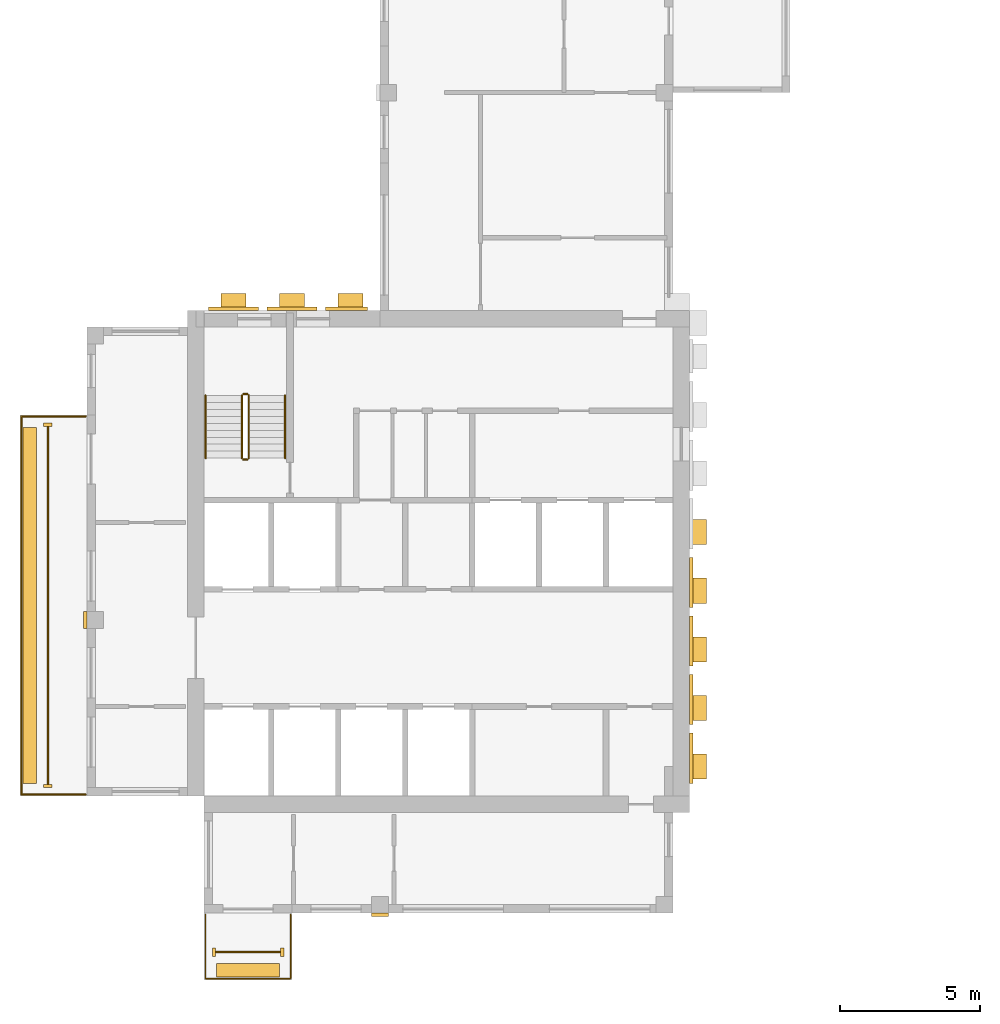
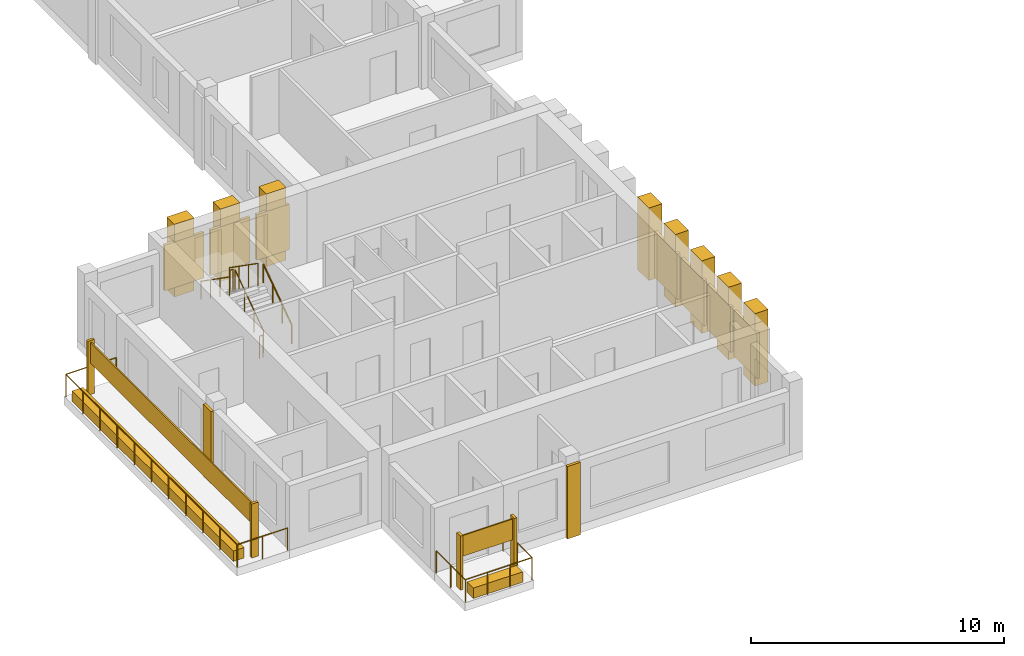
# One storey, part 6 of 9: 25 coverings, 8 railings.
"""IFC4 building model written with IfcOpenShell, lengths in metres."""

from ifc_helpers import new_model, si_unit, direction, frame, origin, origin_2d, place, context, subcontext, project, spatial, rectangle, circle, extrude, source, transform, mapped, material, type_object, element, save


model = new_model("IFC4")

# Units and contexts
model_context = context("Model", 3, precision=1e-05, world=origin(), true_north=direction((0.0, 1.0)))
body_context = subcontext(model_context, "Body", "Model", "MODEL_VIEW")
ifc_project = project(units=[si_unit("LENGTHUNIT", "METRE"), si_unit("AREAUNIT", "SQUARE_METRE"), si_unit("VOLUMEUNIT", "CUBIC_METRE"), si_unit("PLANEANGLEUNIT", "RADIAN"), si_unit("MASSUNIT", "GRAM", prefix="KILO")], contexts=[model_context])

# Site, building, storey
site_placement = place(None, origin())
site = spatial("IfcSite", under=ifc_project, at=site_placement, CompositionType="ELEMENT")
building_placement = place(site_placement, origin())
building = spatial("IfcBuilding", under=site, at=building_placement, Name="Aurelian Terraces", CompositionType="ELEMENT")
storey_placement = place(building_placement, frame((0.0, 0.0, 340.5)))
storey = spatial("IfcBuildingStorey", under=building, at=storey_placement, Name="L80", CompositionType="ELEMENT", Elevation=340.5)

# Coverings
ifc_material_1 = material(Name="Terracotta rainscreen cladding relief", Category="masonry")
covering_type_1 = type_object("IfcCoveringType", Name="FIN-TC", PredefinedType="CLADDING", material=ifc_material_1)
shared_shape_1 = source(origin(), body_context, "Body", "SweptSolid", [
    extrude(rectangle(XDim=0.3, YDim=0.12, at=origin_2d()), origin(), (0.0, 0.0, 1.0), 2.6),
])
for number, where, z_axis, x_axis, name in (
    (1, (-1.4, 17.5, 0.0), (0.0, 0.0, 1.0), (1.0, 0.0, 0.0), "FIN L80 L80-F10-20.1"),
    (2, (-1.4, 4.55, 0.0), (0.0, 0.0, 1.0), (1.0, 0.0, 0.0), "FIN L80 L80-F10-20.2"),
):
    element("IfcCovering", number, at=place(storey_placement, frame(where, z_axis=z_axis, x_axis=x_axis)), inside=storey, type_object=covering_type_1, Name=name, PredefinedType="CLADDING", context=body_context, shape_type="MappedRepresentation", body=[
        mapped(shared_shape_1, transform((0.0, 0.0, 0.0), scale=1.0)),
    ])
shared_shape_2 = source(origin(), body_context, "Body", "SweptSolid", [
    extrude(rectangle(XDim=0.12, YDim=0.3, at=origin_2d()), origin(), (0.0, 0.0, 1.0), 2.6),
])
for number, where, z_axis, x_axis, name in (
    (3, (4.55, -1.4, 0.0), (0.0, 0.0, 1.0), (1.0, 0.0, 0.0), "FIN L80 L80-F01-01.1"),
    (4, (7.0, -1.4, 0.0), (0.0, 0.0, 1.0), (1.0, 0.0, 0.0), "FIN L80 L80-F01-01.2"),
):
    element("IfcCovering", number, at=place(storey_placement, frame(where, z_axis=z_axis, x_axis=x_axis)), inside=storey, type_object=covering_type_1, Name=name, PredefinedType="CLADDING", context=body_context, shape_type="MappedRepresentation", body=[
        mapped(shared_shape_2, transform((0.0, 0.0, 0.0), scale=1.0)),
    ])

# Railing
ifc_material_2 = material(Name="Anodised aluminium", Category="aluminium")
railing_type_1 = type_object("IfcRailingType", Name="GUARD-1100", PredefinedType="GUARDRAIL", material=ifc_material_2)
shared_shape_3 = source(origin(), body_context, "Body", "SweptSolid", [
    extrude(circle(Radius=0.024, at=origin_2d()), frame((0.0, 0.0, 1.076), z_axis=(-1.0, 0.0, 0.0), x_axis=(0.0, -1.0, 0.0)), (0.0, 0.0, 1.0), 2.3),
    extrude(circle(Radius=0.024, at=origin_2d()), frame((-2.3, 0.0, 1.076), z_axis=(0.0, -1.0, 0.0), x_axis=(1.0, 0.0, 0.0)), (0.0, 0.0, 1.0), 13.55),
    extrude(circle(Radius=0.024, at=origin_2d()), frame((-2.3, -13.55, 1.076), z_axis=(1.0, 0.0, 0.0), x_axis=(0.0, 1.0, 0.0)), (0.0, 0.0, 1.0), 2.3),
    extrude(circle(Radius=0.021, at=origin_2d()), origin(), (0.0, 0.0, 1.0), 1.052),
    extrude(circle(Radius=0.021, at=origin_2d()), frame((-1.15, 0.0, 0.0)), (0.0, 0.0, 1.0), 1.052),
    extrude(circle(Radius=0.021, at=origin_2d()), frame((-2.3, 0.0, 0.0)), (0.0, 0.0, 1.0), 1.052),
    extrude(circle(Radius=0.021, at=origin_2d()), frame((-2.3, -1.355, 0.0)), (0.0, 0.0, 1.0), 1.052),
    extrude(circle(Radius=0.021, at=origin_2d()), frame((-2.3, -2.71, 0.0)), (0.0, 0.0, 1.0), 1.052),
    extrude(circle(Radius=0.021, at=origin_2d()), frame((-2.3, -4.065, 0.0)), (0.0, 0.0, 1.0), 1.052),
    extrude(circle(Radius=0.021, at=origin_2d()), frame((-2.3, -5.42, 0.0)), (0.0, 0.0, 1.0), 1.052),
    extrude(circle(Radius=0.021, at=origin_2d()), frame((-2.3, -6.775, 0.0)), (0.0, 0.0, 1.0), 1.052),
    extrude(circle(Radius=0.021, at=origin_2d()), frame((-2.3, -8.13, 0.0)), (0.0, 0.0, 1.0), 1.052),
    extrude(circle(Radius=0.021, at=origin_2d()), frame((-2.3, -9.485, 0.0)), (0.0, 0.0, 1.0), 1.052),
    extrude(circle(Radius=0.021, at=origin_2d()), frame((-2.3, -10.84, 0.0)), (0.0, 0.0, 1.0), 1.052),
    extrude(circle(Radius=0.021, at=origin_2d()), frame((-2.3, -12.195, 0.0)), (0.0, 0.0, 1.0), 1.052),
    extrude(circle(Radius=0.021, at=origin_2d()), frame((-2.3, -13.55, 0.0)), (0.0, 0.0, 1.0), 1.052),
    extrude(circle(Radius=0.021, at=origin_2d()), frame((-1.15, -13.55, 0.0)), (0.0, 0.0, 1.0), 1.052),
    extrude(circle(Radius=0.021, at=origin_2d()), frame((0.0, -13.55, 0.0)), (0.0, 0.0, 1.0), 1.052),
])
railing_1_placement = place(storey_placement, frame((-0.05, 17.8, 0.0)))
element("IfcRailing", 5, at=railing_1_placement, inside=storey, type_object=railing_type_1, Name="Balcony guard L80 F10.20", PredefinedType="GUARDRAIL", context=body_context, shape_type="MappedRepresentation", body=[
    mapped(shared_shape_3, transform((0.0, 0.0, 0.0), scale=1.0)),
])

# Coverings
ifc_material_3 = material(Name="Terracotta planter with planting soil", Category="masonry")
covering_type_2 = type_object("IfcCoveringType", Name="PLANTER-TROUGH", PredefinedType="USERDEFINED", material=ifc_material_3)
shared_shape_4 = source(origin(), body_context, "Body", "SweptSolid", [
    extrude(rectangle(XDim=0.5, YDim=12.75, at=origin_2d()), origin(), (0.0, 0.0, 1.0), 0.5),
])
covering_1_placement = place(storey_placement, frame((-2.05, 11.025, 0.0), z_axis=(0.0, 0.0, 1.0), x_axis=(1.0, 0.0, 0.0)))
element("IfcCovering", 6, at=covering_1_placement, inside=storey, type_object=covering_type_2, Name="PLANTER L80 L80-F10-20", ObjectType="PLANTER", PredefinedType="USERDEFINED", context=body_context, shape_type="MappedRepresentation", body=[
    mapped(shared_shape_4, transform((0.0, 0.0, 0.0), scale=1.0)),
])
ifc_material_4 = material(Name="Terracotta rainscreen cladding", Category="masonry")
covering_type_3 = type_object("IfcCoveringType", Name="SCREEN-TC", PredefinedType="CLADDING", material=ifc_material_4)
shared_shape_5 = source(origin(), body_context, "Body", "SweptSolid", [
    extrude(rectangle(XDim=0.06, YDim=12.83, at=origin_2d()), origin(), (0.0, 0.0, 1.0), 1.0),
])
covering_2_placement = place(storey_placement, frame((-1.4, 11.025, 1.5), z_axis=(0.0, 0.0, 1.0), x_axis=(1.0, 0.0, 0.0)))
element("IfcCovering", 7, at=covering_2_placement, inside=storey, type_object=covering_type_3, Name="SCREEN L80 L80-F10-20", PredefinedType="CLADDING", context=body_context, shape_type="MappedRepresentation", body=[
    mapped(shared_shape_5, transform((0.0, 0.0, 0.0), scale=1.0)),
])

# Railing
shared_shape_6 = source(origin(), body_context, "Body", "SweptSolid", [
    extrude(circle(Radius=0.024, at=origin_2d()), frame((0.0, 0.0, 1.076), z_axis=(0.0, -1.0, 0.0), x_axis=(1.0, 0.0, 0.0)), (0.0, 0.0, 1.0), 2.3),
    extrude(circle(Radius=0.024, at=origin_2d()), frame((0.0, -2.3, 1.076), z_axis=(1.0, 0.0, 0.0), x_axis=(0.0, 1.0, 0.0)), (0.0, 0.0, 1.0), 3.05),
    extrude(circle(Radius=0.024, at=origin_2d()), frame((3.05, -2.3, 1.076), z_axis=(0.0, 1.0, 0.0), x_axis=(-1.0, 0.0, 0.0)), (0.0, 0.0, 1.0), 2.3),
    extrude(circle(Radius=0.021, at=origin_2d()), origin(), (0.0, 0.0, 1.0), 1.052),
    extrude(circle(Radius=0.021, at=origin_2d()), frame((0.0, -1.15, 0.0)), (0.0, 0.0, 1.0), 1.052),
    extrude(circle(Radius=0.021, at=origin_2d()), frame((0.0, -2.3, 0.0)), (0.0, 0.0, 1.0), 1.052),
    extrude(circle(Radius=0.021, at=origin_2d()), frame((1.0167, -2.3, 0.0)), (0.0, 0.0, 1.0), 1.052),
    extrude(circle(Radius=0.021, at=origin_2d()), frame((2.0333, -2.3, 0.0)), (0.0, 0.0, 1.0), 1.052),
    extrude(circle(Radius=0.021, at=origin_2d()), frame((3.05, -2.3, 0.0)), (0.0, 0.0, 1.0), 1.052),
    extrude(circle(Radius=0.021, at=origin_2d()), frame((3.05, -1.15, 0.0)), (0.0, 0.0, 1.0), 1.052),
    extrude(circle(Radius=0.021, at=origin_2d()), frame((3.05, 0.0, 0.0)), (0.0, 0.0, 1.0), 1.052),
])
railing_2_placement = place(storey_placement, frame((4.25, -0.05, 0.0)))
element("IfcRailing", 8, at=railing_2_placement, inside=storey, type_object=railing_type_1, Name="Balcony guard L80 F01.1", PredefinedType="GUARDRAIL", context=body_context, shape_type="MappedRepresentation", body=[
    mapped(shared_shape_6, transform((0.0, 0.0, 0.0), scale=1.0)),
])

# Coverings
shared_shape_7 = source(origin(), body_context, "Body", "SweptSolid", [
    extrude(rectangle(XDim=2.25, YDim=0.5, at=origin_2d()), origin(), (0.0, 0.0, 1.0), 0.5),
])
covering_3_placement = place(storey_placement, frame((5.775, -2.05, 0.0), z_axis=(0.0, 0.0, 1.0), x_axis=(1.0, 0.0, 0.0)))
element("IfcCovering", 9, at=covering_3_placement, inside=storey, type_object=covering_type_2, Name="PLANTER L80 L80-F01-01", ObjectType="PLANTER", PredefinedType="USERDEFINED", context=body_context, shape_type="MappedRepresentation", body=[
    mapped(shared_shape_7, transform((0.0, 0.0, 0.0), scale=1.0)),
])
shared_shape_8 = source(origin(), body_context, "Body", "SweptSolid", [
    extrude(rectangle(XDim=2.33, YDim=0.06, at=origin_2d()), origin(), (0.0, 0.0, 1.0), 1.0),
])
covering_4_placement = place(storey_placement, frame((5.775, -1.4, 1.5), z_axis=(0.0, 0.0, 1.0), x_axis=(1.0, 0.0, 0.0)))
element("IfcCovering", 10, at=covering_4_placement, inside=storey, type_object=covering_type_3, Name="SCREEN L80 L80-F01-01", PredefinedType="CLADDING", context=body_context, shape_type="MappedRepresentation", body=[
    mapped(shared_shape_8, transform((0.0, 0.0, 0.0), scale=1.0)),
])
ifc_material_5 = material(Name="Terracotta rainscreen cladding louvre blades", Category="masonry")
covering_type_4 = type_object("IfcCoveringType", Name="LOUVRE-TC", PredefinedType="CLADDING", material=ifc_material_5)
shared_shape_9 = source(origin(), body_context, "Body", "SweptSolid", [
    extrude(rectangle(XDim=0.12, YDim=1.8, at=origin_2d()), origin(), (0.0, 0.0, 1.0), 2.2),
])
for number, where, z_axis, x_axis, name in (
    (11, (21.66, 5.55, 0.45), (0.0, 0.0, 1.0), (1.0, 0.0, 0.0), "LOUVRE L80 core face E.1"),
    (12, (21.66, 7.65, 0.45), (0.0, 0.0, 1.0), (1.0, 0.0, 0.0), "LOUVRE L80 core face E.2"),
    (13, (21.66, 9.75, 0.45), (0.0, 0.0, 1.0), (1.0, 0.0, 0.0), "LOUVRE L80 core face E.3"),
    (14, (21.66, 11.85, 0.45), (0.0, 0.0, 1.0), (1.0, 0.0, 0.0), "LOUVRE L80 core face E.4"),
):
    element("IfcCovering", number, at=place(storey_placement, frame(where, z_axis=z_axis, x_axis=x_axis)), inside=storey, type_object=covering_type_4, Name=name, PredefinedType="CLADDING", context=body_context, shape_type="MappedRepresentation", body=[
        mapped(shared_shape_9, transform((0.0, 0.0, 0.0), scale=1.0)),
    ])
shared_shape_10 = source(origin(), body_context, "Body", "SweptSolid", [
    extrude(rectangle(XDim=1.8, YDim=0.12, at=origin_2d()), origin(), (0.0, 0.0, 1.0), 2.2),
])
for number, where, z_axis, x_axis, name in (
    (15, (5.25, 21.66, 0.45), (0.0, 0.0, 1.0), (1.0, 0.0, 0.0), "LOUVRE L80 core face N.1"),
    (16, (7.35, 21.66, 0.45), (0.0, 0.0, 1.0), (1.0, 0.0, 0.0), "LOUVRE L80 core face N.2"),
):
    element("IfcCovering", number, at=place(storey_placement, frame(where, z_axis=z_axis, x_axis=x_axis)), inside=storey, type_object=covering_type_4, Name=name, PredefinedType="CLADDING", context=body_context, shape_type="MappedRepresentation", body=[
        mapped(shared_shape_10, transform((0.0, 0.0, 0.0), scale=1.0)),
    ])
shared_shape_11 = source(origin(), body_context, "Body", "SweptSolid", [
    extrude(rectangle(XDim=1.5, YDim=0.12, at=origin_2d()), origin(), (0.0, 0.0, 1.0), 2.2),
])
covering_5_placement = place(storey_placement, frame((9.3, 21.66, 0.45), z_axis=(0.0, 0.0, 1.0), x_axis=(1.0, 0.0, 0.0)))
element("IfcCovering", 17, at=covering_5_placement, inside=storey, type_object=covering_type_4, Name="LOUVRE L80 core face N.3", PredefinedType="CLADDING", context=body_context, shape_type="MappedRepresentation", body=[
    mapped(shared_shape_11, transform((0.0, 0.0, 0.0), scale=1.0)),
])
covering_type_5 = type_object("IfcCoveringType", Name="BAGUETTE-TC", PredefinedType="CLADDING", material=ifc_material_1)
shared_shape_12 = source(origin(), body_context, "Body", "SweptSolid", [
    extrude(rectangle(XDim=0.6, YDim=0.12, at=origin_2d()), origin(), (0.0, 0.0, 1.0), 3.5),
])
covering_6_placement = place(storey_placement, frame((10.5, -0.06, -0.4), z_axis=(0.0, 0.0, 1.0), x_axis=(1.0, 0.0, 0.0)))
element("IfcCovering", 18, at=covering_6_placement, inside=storey, type_object=covering_type_5, Name="BAGUETTE pier L80 1", PredefinedType="CLADDING", context=body_context, shape_type="MappedRepresentation", body=[
    mapped(shared_shape_12, transform((0.0, 0.0, 0.0), scale=1.0)),
])
shared_shape_13 = source(origin(), body_context, "Body", "SweptSolid", [
    extrude(rectangle(XDim=0.12, YDim=0.6, at=origin_2d()), origin(), (0.0, 0.0, 1.0), 3.5),
])
covering_7_placement = place(storey_placement, frame((-0.06, 10.5, -0.4), z_axis=(0.0, 0.0, 1.0), x_axis=(1.0, 0.0, 0.0)))
element("IfcCovering", 19, at=covering_7_placement, inside=storey, type_object=covering_type_5, Name="BAGUETTE pier L80 3", PredefinedType="CLADDING", context=body_context, shape_type="MappedRepresentation", body=[
    mapped(shared_shape_13, transform((0.0, 0.0, 0.0), scale=1.0)),
])

# Railings
ifc_material_6 = material(Name="Stainless steel", Category="steel")
railing_type_2 = type_object("IfcRailingType", Name="Stair guard 1100", PredefinedType="GUARDRAIL", material=ifc_material_6)
shared_shape_14 = source(origin(), body_context, "Body", "SweptSolid", [
    extrude(circle(Radius=0.024, at=origin_2d()), frame((0.0, 0.0, 1.076), z_axis=(-1.0, 0.0, 0.0), x_axis=(0.0, -1.0, 0.0)), (0.0, 0.0, 1.0), 0.15),
    extrude(circle(Radius=0.021, at=origin_2d()), origin(), (0.0, 0.0, 1.0), 1.052),
    extrude(circle(Radius=0.021, at=origin_2d()), frame((-0.15, 0.0, 0.0)), (0.0, 0.0, 1.0), 1.052),
])
for number, where, name in (
    (20, (5.75, 18.6, 1.75), "L80 S1 stair guard 2"),
    (21, (5.75, 16.25, 0.0), "L80 S1 stair guard 4"),
):
    element("IfcRailing", number, at=place(storey_placement, frame(where)), inside=storey, type_object=railing_type_2, Name=name, PredefinedType="GUARDRAIL", context=body_context, shape_type="MappedRepresentation", body=[
        mapped(shared_shape_14, transform((0.0, 0.0, 0.0), scale=1.0)),
    ])
shared_shape_15 = source(origin(), body_context, "Body", "SweptSolid", [
    extrude(circle(Radius=0.024, at=origin_2d()), frame((0.0, 0.0, 1.076), z_axis=(0.0, 0.819231920519, 0.573462344363), x_axis=(-1.0, 0.0, 0.0)), (0.0, 0.0, 1.0), 2.7465),
    extrude(circle(Radius=0.021, at=origin_2d()), origin(), (0.0, 0.0, 1.0), 1.052),
    extrude(circle(Radius=0.021, at=origin_2d()), frame((0.0, 0.75, 0.525)), (0.0, 0.0, 1.0), 1.052),
    extrude(circle(Radius=0.021, at=origin_2d()), frame((0.0, 1.5, 1.05)), (0.0, 0.0, 1.0), 1.052),
    extrude(circle(Radius=0.021, at=origin_2d()), frame((0.0, 2.25, 1.575)), (0.0, 0.0, 1.0), 1.052),
])
railing_3_placement = place(storey_placement, frame((5.8, 16.3, 0.175)))
element("IfcRailing", 22, at=railing_3_placement, inside=storey, type_object=railing_type_2, Name="L80 S1 stair guard 1", PredefinedType="GUARDRAIL", context=body_context, shape_type="MappedRepresentation", body=[
    mapped(shared_shape_15, transform((0.0, 0.0, 0.0), scale=1.0)),
])
shared_shape_16 = source(origin(), body_context, "Body", "SweptSolid", [
    extrude(circle(Radius=0.024, at=origin_2d()), frame((0.0, 0.0, 1.076), z_axis=(0.0, -0.819231920519, 0.573462344363), x_axis=(1.0, 0.0, 0.0)), (0.0, 0.0, 1.0), 2.7465),
    extrude(circle(Radius=0.021, at=origin_2d()), origin(), (0.0, 0.0, 1.0), 1.052),
    extrude(circle(Radius=0.021, at=origin_2d()), frame((0.0, -0.75, 0.525)), (0.0, 0.0, 1.0), 1.052),
    extrude(circle(Radius=0.021, at=origin_2d()), frame((0.0, -1.5, 1.05)), (0.0, 0.0, 1.0), 1.052),
    extrude(circle(Radius=0.021, at=origin_2d()), frame((0.0, -2.25, 1.575)), (0.0, 0.0, 1.0), 1.052),
])
railing_4_placement = place(storey_placement, frame((5.55, 18.55, 1.925)))
element("IfcRailing", 23, at=railing_4_placement, inside=storey, type_object=railing_type_2, Name="L80 S1 stair guard 3", PredefinedType="GUARDRAIL", context=body_context, shape_type="MappedRepresentation", body=[
    mapped(shared_shape_16, transform((0.0, 0.0, 0.0), scale=1.0)),
])
railing_type_3 = type_object("IfcRailingType", Name="Stair handrail", PredefinedType="HANDRAIL", material=ifc_material_6)
shared_shape_17 = source(origin(), body_context, "Body", "SweptSolid", [
    extrude(circle(Radius=0.024, at=origin_2d()), frame((0.0, 0.0, 0.876), z_axis=(0.0, 0.819231920519, 0.573462344363), x_axis=(-1.0, 0.0, 0.0)), (0.0, 0.0, 1.0), 2.7465),
    extrude(circle(Radius=0.021, at=origin_2d()), origin(), (0.0, 0.0, 1.0), 0.852),
    extrude(circle(Radius=0.021, at=origin_2d()), frame((0.0, 0.75, 0.525)), (0.0, 0.0, 1.0), 0.852),
    extrude(circle(Radius=0.021, at=origin_2d()), frame((0.0, 1.5, 1.05)), (0.0, 0.0, 1.0), 0.852),
    extrude(circle(Radius=0.021, at=origin_2d()), frame((0.0, 2.25, 1.575)), (0.0, 0.0, 1.0), 0.852),
])
railing_5_placement = place(storey_placement, frame((7.1, 16.3, 0.175)))
element("IfcRailing", 24, at=railing_5_placement, inside=storey, type_object=railing_type_3, Name="L80 S1 stair handrail 1", PredefinedType="HANDRAIL", context=body_context, shape_type="MappedRepresentation", body=[
    mapped(shared_shape_17, transform((0.0, 0.0, 0.0), scale=1.0)),
])
shared_shape_18 = source(origin(), body_context, "Body", "SweptSolid", [
    extrude(circle(Radius=0.024, at=origin_2d()), frame((0.0, 0.0, 0.876), z_axis=(0.0, -0.819231920519, 0.573462344363), x_axis=(1.0, 0.0, 0.0)), (0.0, 0.0, 1.0), 2.7465),
    extrude(circle(Radius=0.021, at=origin_2d()), origin(), (0.0, 0.0, 1.0), 0.852),
    extrude(circle(Radius=0.021, at=origin_2d()), frame((0.0, -0.75, 0.525)), (0.0, 0.0, 1.0), 0.852),
    extrude(circle(Radius=0.021, at=origin_2d()), frame((0.0, -1.5, 1.05)), (0.0, 0.0, 1.0), 0.852),
    extrude(circle(Radius=0.021, at=origin_2d()), frame((0.0, -2.25, 1.575)), (0.0, 0.0, 1.0), 0.852),
])
railing_6_placement = place(storey_placement, frame((4.25, 18.55, 1.925)))
element("IfcRailing", 25, at=railing_6_placement, inside=storey, type_object=railing_type_3, Name="L80 S1 stair handrail 2", PredefinedType="HANDRAIL", context=body_context, shape_type="MappedRepresentation", body=[
    mapped(shared_shape_18, transform((0.0, 0.0, 0.0), scale=1.0)),
])

# Coverings
covering_type_6 = type_object("IfcCoveringType", Name="Core spine pier 900x600", PredefinedType="CLADDING", material=ifc_material_1)
shared_shape_19 = source(origin(), body_context, "Body", "SweptSolid", [
    extrude(rectangle(XDim=0.6, YDim=0.9, at=origin_2d()), origin(), (0.0, 0.0, 1.0), 3.5),
])
for number, where, z_axis, x_axis, name in (
    (26, (21.9, 5.25, 0.0), (0.0, 0.0, 1.0), (1.0, 0.0, 0.0), "Spine pier L80 E1"),
    (27, (21.9, 7.35, 0.0), (0.0, 0.0, 1.0), (1.0, 0.0, 0.0), "Spine pier L80 E2"),
    (28, (21.9, 9.45, 0.0), (0.0, 0.0, 1.0), (1.0, 0.0, 0.0), "Spine pier L80 E3"),
    (29, (21.9, 11.55, 0.0), (0.0, 0.0, 1.0), (1.0, 0.0, 0.0), "Spine pier L80 E4"),
    (30, (21.9, 13.65, 0.0), (0.0, 0.0, 1.0), (1.0, 0.0, 0.0), "Spine pier L80 E5"),
):
    element("IfcCovering", number, at=place(storey_placement, frame(where, z_axis=z_axis, x_axis=x_axis)), inside=storey, type_object=covering_type_6, Name=name, PredefinedType="CLADDING", context=body_context, shape_type="MappedRepresentation", body=[
        mapped(shared_shape_19, transform((0.0, 0.0, 0.0), scale=1.0)),
    ])
shared_shape_20 = source(origin(), body_context, "Body", "SweptSolid", [
    extrude(rectangle(XDim=0.9, YDim=0.6, at=origin_2d()), origin(), (0.0, 0.0, 1.0), 3.5),
])
for number, where, z_axis, x_axis, name in (
    (31, (5.25, 21.9, 0.0), (0.0, 0.0, 1.0), (1.0, 0.0, 0.0), "Spine pier L80 N9"),
    (32, (7.35, 21.9, 0.0), (0.0, 0.0, 1.0), (1.0, 0.0, 0.0), "Spine pier L80 N10"),
    (33, (9.45, 21.9, 0.0), (0.0, 0.0, 1.0), (1.0, 0.0, 0.0), "Spine pier L80 N11"),
):
    element("IfcCovering", number, at=place(storey_placement, frame(where, z_axis=z_axis, x_axis=x_axis)), inside=storey, type_object=covering_type_6, Name=name, PredefinedType="CLADDING", context=body_context, shape_type="MappedRepresentation", body=[
        mapped(shared_shape_20, transform((0.0, 0.0, 0.0), scale=1.0)),
    ])

save(model, "model.ifc")
